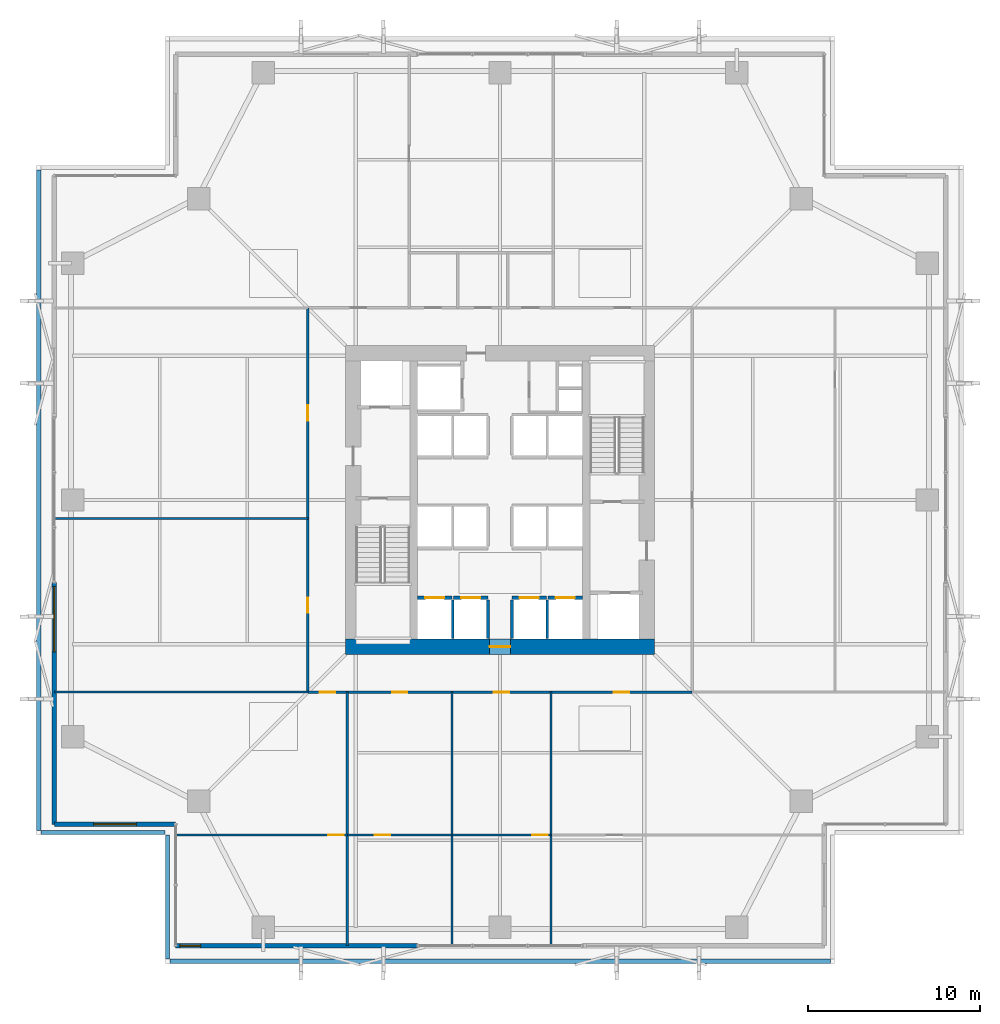
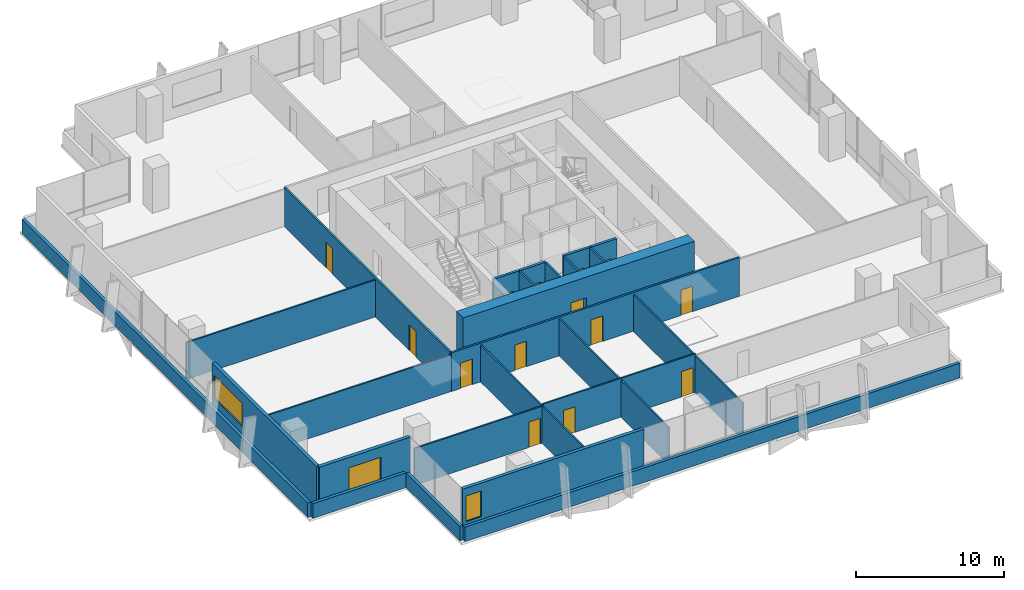
# One storey, part 30 of 34: 26 walls, 14 doors, 3 windows, 17 openings.
"""IFC4 building model written with IfcOpenShell, lengths in metres."""

from ifc_helpers import new_model, si_unit, direction, frame, frame_2d, origin, place, context, subcontext, project, spatial, rectangle, extrude, material, layer, layer_set, type_object, element, fill, save


model = new_model("IFC4")

# Units and contexts
model_context = context("Model", 3, precision=1e-05, world=origin(), true_north=direction((0.0, 1.0)))
body_context = subcontext(model_context, "Body", "Model", "MODEL_VIEW")
ifc_project = project(units=[si_unit("LENGTHUNIT", "METRE"), si_unit("AREAUNIT", "SQUARE_METRE"), si_unit("VOLUMEUNIT", "CUBIC_METRE"), si_unit("PLANEANGLEUNIT", "RADIAN"), si_unit("MASSUNIT", "GRAM", prefix="KILO")], contexts=[model_context])

# Site, building, storey
site_placement = place(None, origin())
site = spatial("IfcSite", under=ifc_project, at=site_placement, CompositionType="ELEMENT")
building_placement = place(site_placement, origin())
building = spatial("IfcBuilding", under=site, at=building_placement, Name="Belovzor Exchange Tower", CompositionType="ELEMENT")
storey_placement = place(building_placement, frame((0.0, 0.0, 113.39990234375)))
storey = spatial("IfcBuildingStorey", under=building, at=storey_placement, Name="L27", CompositionType="ELEMENT", Elevation=113.39990234375)

# Wall, opening, door
ifc_material_1 = material(Name="Acoustic Plasterboard on Galvanised Studs", Category="gypsum")
ifc_layer_1 = layer(ifc_material_1, 0.1201171875)
ifc_layer_set_1 = layer_set([ifc_layer_1], Name="Acoustic Plasterboard on Galvanised Studs")
wall_type_1 = type_object("IfcWallType", Name="Acoustic Double-Stud Partition Wall 120", PredefinedType="PARTITIONING", material=ifc_layer_set_1)
wall_1_placement = place(storey_placement, frame((9.89990234375, 9.280029296875, 0.0), z_axis=(0.0, 0.0, 1.0), x_axis=(1.0, 0.0, 0.0)))
wall_1 = element("IfcWall", 1, at=wall_1_placement, inside=storey, type_object=wall_type_1, Name="W-P120 Partition Wall W-L27-SHDIV-0", PredefinedType="PARTITIONING", context=body_context, shape_type="SweptSolid", body=[
    extrude(rectangle(XDim=10.0, YDim=0.1201171875, at=frame_2d((5.0, 0.0))), origin(), (0.0, 0.0, 1.0), 3.03515625),
])
opening_1_placement = place(wall_1_placement, frame((8.89990234375, 0.0, 0.0)))
opening_1 = element("IfcOpeningElement", 2, at=opening_1_placement, cuts=wall_1, Name="Opening D-INT-090", PredefinedType="OPENING", context=body_context, shape_type="SweptSolid", body=[
    extrude(rectangle(XDim=0.89990234375, YDim=2.10009765625, at=frame_2d((0.449951171875, 1.050048828125))), frame((0.0, 0.070068359375, 0.0), z_axis=(0.0, -1.0, 0.0), x_axis=(1.0, 0.0, 0.0)), (0.0, 0.0, 1.0), 0.14013671875),
])
ifc_material_2 = material(Name="Veneered Hardwood Acoustic Leaf", Category="wood")
door_type_1 = type_object("IfcDoorType", Name="Trading Suite Acoustic Single Door 900x2100", OperationType="NOTDEFINED", PredefinedType="DOOR", material=ifc_material_2)
door_1_placement = place(opening_1_placement, origin())
door_1 = element("IfcDoor", 3, at=door_1_placement, inside=storey, type_object=door_type_1, Name="D-INT-090 Trading Suite Acoustic Single Door 900x2100", OperationType="SINGLE_SWING_LEFT", OverallHeight=2.10009765625, OverallWidth=0.89990234375, PredefinedType="DOOR", context=body_context, shape_type="SweptSolid", body=[
    extrude(rectangle(XDim=0.89990234375, YDim=2.10009765625, at=frame_2d((0.449951171875, 1.050048828125))), frame((0.0, 0.02490234375, 0.0), z_axis=(0.0, -1.0, 0.0), x_axis=(1.0, 0.0, 0.0)), (0.0, 0.0, 1.0), 0.050048828125),
])
fill(opening_1, door_1)

# Wall
wall_2_placement = place(storey_placement, frame((19.89990234375, 2.830078125, 0.0), z_axis=(0.0, 0.0, 1.0), x_axis=(0.0, 1.0, 0.0)))
element("IfcWall", 4, at=wall_2_placement, inside=storey, type_object=wall_type_1, Name="W-P120 Partition Wall W-L27-SDIV-1", PredefinedType="PARTITIONING", context=body_context, shape_type="SweptSolid", body=[
    extrude(rectangle(XDim=14.77001953125, YDim=0.1201171875, at=frame_2d((7.385009765625, 0.0))), origin(), (0.0, 0.0, 1.0), 3.03515625),
])

# Wall, opening, door
wall_3_placement = place(storey_placement, frame((19.89990234375, 9.280029296875, 0.0), z_axis=(0.0, 0.0, 1.0), x_axis=(1.0, 0.0, 0.0)))
wall_3 = element("IfcWall", 5, at=wall_3_placement, inside=storey, type_object=wall_type_1, Name="W-P120 Partition Wall W-L27-SHDIV-1", PredefinedType="PARTITIONING", context=body_context, shape_type="SweptSolid", body=[
    extrude(rectangle(XDim=6.114990234375, YDim=0.1201171875, at=frame_2d((3.0576171875, 0.0))), origin(), (0.0, 0.0, 1.0), 3.18505859375),
])
opening_2_placement = place(wall_3_placement, frame((1.60400390625, 0.0, 0.0)))
opening_2 = element("IfcOpeningElement", 6, at=opening_2_placement, cuts=wall_3, Name="Opening D-INT-090", PredefinedType="OPENING", context=body_context, shape_type="SweptSolid", body=[
    extrude(rectangle(XDim=0.89990234375, YDim=2.10009765625, at=frame_2d((0.449951171875, 1.050048828125))), frame((0.0, 0.070068359375, 0.0), z_axis=(0.0, -1.0, 0.0), x_axis=(1.0, 0.0, 0.0)), (0.0, 0.0, 1.0), 0.14013671875),
])
door_2_placement = place(opening_2_placement, origin())
door_2 = element("IfcDoor", 7, at=door_2_placement, inside=storey, type_object=door_type_1, Name="D-INT-090 Trading Suite Acoustic Single Door 900x2100", OperationType="SINGLE_SWING_LEFT", OverallHeight=2.10009765625, OverallWidth=0.89990234375, PredefinedType="DOOR", context=body_context, shape_type="SweptSolid", body=[
    extrude(rectangle(XDim=0.89990234375, YDim=2.10009765625, at=frame_2d((0.449951171875, 1.050048828125))), frame((0.0, 0.02490234375, 0.0), z_axis=(0.0, -1.0, 0.0), x_axis=(1.0, 0.0, 0.0)), (0.0, 0.0, 1.0), 0.050048828125),
])
fill(opening_2, door_2)

# Wall
wall_4_placement = place(storey_placement, frame((26.014892578125, 2.830078125, 0.0), z_axis=(0.0, 0.0, 1.0), x_axis=(0.0, 1.0, 0.0)))
element("IfcWall", 8, at=wall_4_placement, inside=storey, type_object=wall_type_1, Name="W-P120 Partition Wall W-L27-SDIV-2", PredefinedType="PARTITIONING", context=body_context, shape_type="SweptSolid", body=[
    extrude(rectangle(XDim=14.77001953125, YDim=0.1201171875, at=frame_2d((7.385009765625, 0.0))), origin(), (0.0, 0.0, 1.0), 3.03515625),
])

# Wall, opening, door
wall_5_placement = place(storey_placement, frame((26.014892578125, 9.280029296875, 0.0), z_axis=(0.0, 0.0, 1.0), x_axis=(1.0, 0.0, 0.0)))
wall_5 = element("IfcWall", 9, at=wall_5_placement, inside=storey, type_object=wall_type_1, Name="W-P120 Partition Wall W-L27-SHDIV-2", PredefinedType="PARTITIONING", context=body_context, shape_type="SweptSolid", body=[
    extrude(rectangle(XDim=5.76513671875, YDim=0.1201171875, at=frame_2d((2.882568359375, 0.0))), origin(), (0.0, 0.0, 1.0), 3.18505859375),
])
opening_3_placement = place(wall_5_placement, frame((4.6650390625, 0.0, 0.0)))
opening_3 = element("IfcOpeningElement", 10, at=opening_3_placement, cuts=wall_5, Name="Opening D-INT-090", PredefinedType="OPENING", context=body_context, shape_type="SweptSolid", body=[
    extrude(rectangle(XDim=0.89990234375, YDim=2.10009765625, at=frame_2d((0.449951171875, 1.050048828125))), frame((0.0, 0.070068359375, 0.0), z_axis=(0.0, -1.0, 0.0), x_axis=(1.0, 0.0, 0.0)), (0.0, 0.0, 1.0), 0.14013671875),
])
door_3_placement = place(opening_3_placement, origin())
door_3 = element("IfcDoor", 11, at=door_3_placement, inside=storey, type_object=door_type_1, Name="D-INT-090 Trading Suite Acoustic Single Door 900x2100", OperationType="SINGLE_SWING_LEFT", OverallHeight=2.10009765625, OverallWidth=0.89990234375, PredefinedType="DOOR", context=body_context, shape_type="SweptSolid", body=[
    extrude(rectangle(XDim=0.89990234375, YDim=2.10009765625, at=frame_2d((0.449951171875, 1.050048828125))), frame((0.0, 0.02490234375, 0.0), z_axis=(0.0, -1.0, 0.0), x_axis=(1.0, 0.0, 0.0)), (0.0, 0.0, 1.0), 0.050048828125),
])
fill(opening_3, door_3)

# Walls
for number, where, z_axis, x_axis, name in (
    (12, (31.780029296875, 2.830078125, 0.0), (0.0, 0.0, 1.0), (0.0, 1.0, 0.0), "W-P120 Partition Wall W-L27-SDIV-3"),
    (13, (2.830078125, 17.60009765625, 0.0), (0.0, 0.0, 1.0), (1.0, 0.0, 0.0), "W-P120 Partition Wall W-L27-END-SW"),
    (14, (2.830078125, 27.73193359375, 0.0), (0.0, 0.0, 1.0), (1.0, 0.0, 0.0), "W-P120 Partition Wall W-L27-WDIV-1"),
):
    element("IfcWall", number, at=place(storey_placement, frame(where, z_axis=z_axis, x_axis=x_axis)), inside=storey, type_object=wall_type_1, Name=name, PredefinedType="PARTITIONING", context=body_context, shape_type="SweptSolid", body=[
        extrude(rectangle(XDim=14.77001953125, YDim=0.1201171875, at=frame_2d((7.385009765625, 0.0))), origin(), (0.0, 0.0, 1.0), 3.03515625),
    ])

# Wall, openings, doors
ifc_material_3 = material(Name="Fire-Rated Gypsum Block and Mineral Wool", Category="gypsum")
ifc_layer_2 = layer(ifc_material_3, 0.14990234375)
ifc_layer_set_2 = layer_set([ifc_layer_2], Name="Fire-Rated Gypsum Block and Mineral Wool")
wall_type_2 = type_object("IfcWallType", Name="Fire-Rated Gypsum Block Corridor Wall 150", PredefinedType="PARTITIONING", material=ifc_layer_set_2)
wall_6_placement = place(storey_placement, frame((17.60009765625, 17.60009765625, 0.0), z_axis=(0.0, 0.0, 1.0), x_axis=(1.0, 0.0, 0.0)))
wall_6 = element("IfcWall", 15, at=wall_6_placement, inside=storey, type_object=wall_type_2, Name="W-P150 Partition Wall W-L27-CS", PredefinedType="PARTITIONING", context=body_context, shape_type="SweptSolid", body=[
    extrude(rectangle(XDim=22.39990234375, YDim=0.14990234375, at=frame_2d((11.199951171875, 0.0))), origin(), (0.0, 0.0, 1.0), 3.18505859375),
])
opening_4_placement = place(wall_6_placement, frame((0.699951171875, 0.0, 0.0)))
opening_4 = element("IfcOpeningElement", 16, at=opening_4_placement, cuts=wall_6, Name="Opening D-INT-090", PredefinedType="OPENING", context=body_context, shape_type="SweptSolid", body=[
    extrude(rectangle(XDim=0.89990234375, YDim=2.10009765625, at=frame_2d((0.449951171875, 1.050048828125))), frame((0.0, 0.0849609375, 0.0), z_axis=(0.0, -1.0, 0.0), x_axis=(1.0, 0.0, 0.0)), (0.0, 0.0, 1.0), 0.169921875),
])
opening_5_placement = place(wall_6_placement, frame((4.906982421875, 0.0, 0.0)))
opening_5 = element("IfcOpeningElement", 17, at=opening_5_placement, cuts=wall_6, Name="Opening D-INT-090", PredefinedType="OPENING", context=body_context, shape_type="SweptSolid", body=[
    extrude(rectangle(XDim=0.89990234375, YDim=2.10009765625, at=frame_2d((0.449951171875, 1.050048828125))), frame((0.0, 0.0849609375, 0.0), z_axis=(0.0, -1.0, 0.0), x_axis=(1.0, 0.0, 0.0)), (0.0, 0.0, 1.0), 0.169921875),
])
opening_6_placement = place(wall_6_placement, frame((10.847900390625, 0.0, 0.0)))
opening_6 = element("IfcOpeningElement", 18, at=opening_6_placement, cuts=wall_6, Name="Opening D-INT-090", PredefinedType="OPENING", context=body_context, shape_type="SweptSolid", body=[
    extrude(rectangle(XDim=0.89990234375, YDim=2.10009765625, at=frame_2d((0.449951171875, 1.050048828125))), frame((0.0, 0.0849609375, 0.0), z_axis=(0.0, -1.0, 0.0), x_axis=(1.0, 0.0, 0.0)), (0.0, 0.0, 1.0), 0.169921875),
])
opening_7_placement = place(wall_6_placement, frame((17.840087890625, 0.0, 0.0)))
opening_7 = element("IfcOpeningElement", 19, at=opening_7_placement, cuts=wall_6, Name="Opening D-INT-090", PredefinedType="OPENING", context=body_context, shape_type="SweptSolid", body=[
    extrude(rectangle(XDim=0.89990234375, YDim=2.10009765625, at=frame_2d((0.449951171875, 1.050048828125))), frame((0.0, 0.0849609375, 0.0), z_axis=(0.0, -1.0, 0.0), x_axis=(1.0, 0.0, 0.0)), (0.0, 0.0, 1.0), 0.169921875),
])
door_4_placement = place(opening_4_placement, origin())
door_4 = element("IfcDoor", 20, at=door_4_placement, inside=storey, type_object=door_type_1, Name="D-INT-090 Trading Suite Acoustic Single Door 900x2100", OperationType="SINGLE_SWING_RIGHT", OverallHeight=2.10009765625, OverallWidth=0.89990234375, PredefinedType="DOOR", context=body_context, shape_type="SweptSolid", body=[
    extrude(rectangle(XDim=0.89990234375, YDim=2.10009765625, at=frame_2d((0.449951171875, 1.050048828125))), frame((0.0, 0.02490234375, 0.0), z_axis=(0.0, -1.0, 0.0), x_axis=(1.0, 0.0, 0.0)), (0.0, 0.0, 1.0), 0.050048828125),
])
fill(opening_4, door_4)
door_5_placement = place(opening_5_placement, origin())
door_5 = element("IfcDoor", 21, at=door_5_placement, inside=storey, type_object=door_type_1, Name="D-INT-090 Trading Suite Acoustic Single Door 900x2100", OperationType="SINGLE_SWING_LEFT", OverallHeight=2.10009765625, OverallWidth=0.89990234375, PredefinedType="DOOR", context=body_context, shape_type="SweptSolid", body=[
    extrude(rectangle(XDim=0.89990234375, YDim=2.10009765625, at=frame_2d((0.449951171875, 1.050048828125))), frame((0.0, 0.02490234375, 0.0), z_axis=(0.0, -1.0, 0.0), x_axis=(1.0, 0.0, 0.0)), (0.0, 0.0, 1.0), 0.050048828125),
])
fill(opening_5, door_5)
door_6_placement = place(opening_6_placement, origin())
door_6 = element("IfcDoor", 22, at=door_6_placement, inside=storey, type_object=door_type_1, Name="D-INT-090 Trading Suite Acoustic Single Door 900x2100", OperationType="SINGLE_SWING_RIGHT", OverallHeight=2.10009765625, OverallWidth=0.89990234375, PredefinedType="DOOR", context=body_context, shape_type="SweptSolid", body=[
    extrude(rectangle(XDim=0.89990234375, YDim=2.10009765625, at=frame_2d((0.449951171875, 1.050048828125))), frame((0.0, 0.02490234375, 0.0), z_axis=(0.0, -1.0, 0.0), x_axis=(1.0, 0.0, 0.0)), (0.0, 0.0, 1.0), 0.050048828125),
])
fill(opening_6, door_6)
door_7_placement = place(opening_7_placement, origin())
door_7 = element("IfcDoor", 23, at=door_7_placement, inside=storey, type_object=door_type_1, Name="D-INT-090 Trading Suite Acoustic Single Door 900x2100", OperationType="SINGLE_SWING_LEFT", OverallHeight=2.10009765625, OverallWidth=0.89990234375, PredefinedType="DOOR", context=body_context, shape_type="SweptSolid", body=[
    extrude(rectangle(XDim=0.89990234375, YDim=2.10009765625, at=frame_2d((0.449951171875, 1.050048828125))), frame((0.0, 0.02490234375, 0.0), z_axis=(0.0, -1.0, 0.0), x_axis=(1.0, 0.0, 0.0)), (0.0, 0.0, 1.0), 0.050048828125),
])
fill(opening_7, door_7)

wall_7_placement = place(storey_placement, frame((17.60009765625, 17.60009765625, 0.0), z_axis=(0.0, 0.0, 1.0), x_axis=(0.0, 1.0, 0.0)))
wall_7 = element("IfcWall", 24, at=wall_7_placement, inside=storey, type_object=wall_type_2, Name="W-P150 Partition Wall W-L27-CW", PredefinedType="PARTITIONING", context=body_context, shape_type="SweptSolid", body=[
    extrude(rectangle(XDim=22.39990234375, YDim=0.14990234375, at=frame_2d((11.199951171875, 0.0))), origin(), (0.0, 0.0, 1.0), 3.18505859375),
])
opening_8_placement = place(wall_7_placement, frame((4.615966796875, 0.0, 0.0)))
opening_8 = element("IfcOpeningElement", 25, at=opening_8_placement, cuts=wall_7, Name="Opening D-INT-090", PredefinedType="OPENING", context=body_context, shape_type="SweptSolid", body=[
    extrude(rectangle(XDim=0.89990234375, YDim=2.10009765625, at=frame_2d((0.449951171875, 1.050048828125))), frame((0.0, 0.0849609375, 0.0), z_axis=(0.0, -1.0, 0.0), x_axis=(1.0, 0.0, 0.0)), (0.0, 0.0, 1.0), 0.169921875),
])
opening_9_placement = place(wall_7_placement, frame((15.81591796875, 0.0, 0.0)))
opening_9 = element("IfcOpeningElement", 26, at=opening_9_placement, cuts=wall_7, Name="Opening D-INT-090", PredefinedType="OPENING", context=body_context, shape_type="SweptSolid", body=[
    extrude(rectangle(XDim=0.89990234375, YDim=2.10009765625, at=frame_2d((0.449951171875, 1.050048828125))), frame((0.0, 0.0849609375, 0.0), z_axis=(0.0, -1.0, 0.0), x_axis=(1.0, 0.0, 0.0)), (0.0, 0.0, 1.0), 0.169921875),
])
door_8_placement = place(opening_8_placement, origin())
door_8 = element("IfcDoor", 27, at=door_8_placement, inside=storey, type_object=door_type_1, Name="D-INT-090 Trading Suite Acoustic Single Door 900x2100", OperationType="SINGLE_SWING_RIGHT", OverallHeight=2.10009765625, OverallWidth=0.89990234375, PredefinedType="DOOR", context=body_context, shape_type="SweptSolid", body=[
    extrude(rectangle(XDim=0.89990234375, YDim=2.10009765625, at=frame_2d((0.449951171875, 1.050048828125))), frame((0.0, 0.02490234375, 0.0), z_axis=(0.0, -1.0, 0.0), x_axis=(1.0, 0.0, 0.0)), (0.0, 0.0, 1.0), 0.050048828125),
])
fill(opening_8, door_8)
door_9_placement = place(opening_9_placement, origin())
door_9 = element("IfcDoor", 28, at=door_9_placement, inside=storey, type_object=door_type_1, Name="D-INT-090 Trading Suite Acoustic Single Door 900x2100", OperationType="SINGLE_SWING_LEFT", OverallHeight=2.10009765625, OverallWidth=0.89990234375, PredefinedType="DOOR", context=body_context, shape_type="SweptSolid", body=[
    extrude(rectangle(XDim=0.89990234375, YDim=2.10009765625, at=frame_2d((0.449951171875, 1.050048828125))), frame((0.0, 0.02490234375, 0.0), z_axis=(0.0, -1.0, 0.0), x_axis=(1.0, 0.0, 0.0)), (0.0, 0.0, 1.0), 0.050048828125),
])
fill(opening_9, door_9)

# Wall, opening, window
ifc_material_4 = material(Name="Precast concrete C40/50", Category="concrete")
ifc_layer_3 = layer(ifc_material_4, 0.280029296875)
ifc_layer_set_3 = layer_set([ifc_layer_3], Name="Precast concrete C40/50")
wall_type_3 = type_object("IfcWallType", Name="Precast Concrete Notched Corner Frame Wall 280", PredefinedType="SOLIDWALL", material=ifc_layer_set_3)
wall_8_placement = place(storey_placement, frame((9.89990234375, 9.89990234375, 0.0), z_axis=(0.0, 0.0, 1.0), x_axis=(-1.0, 0.0, 0.0)))
wall_8 = element("IfcWall", 29, at=wall_8_placement, inside=storey, type_object=wall_type_3, Name="W-CRN280 Precast Concrete Notched Corner Frame Wall 280 L27", PredefinedType="SOLIDWALL", context=body_context, shape_type="SweptSolid", body=[
    extrude(rectangle(XDim=7.06982421875, YDim=0.280029296875, at=frame_2d((3.534912109375, 0.0))), origin(), (0.0, 0.0, 1.0), 3.650146484375),
])
opening_10_placement = place(wall_8_placement, frame((2.284912109375, 0.0, 0.89990234375)))
opening_10 = element("IfcOpeningElement", 30, at=opening_10_placement, cuts=wall_8, Name="Opening WN-CRN250", PredefinedType="OPENING", context=body_context, shape_type="SweptSolid", body=[
    extrude(rectangle(XDim=2.5, YDim=1.89990234375, at=frame_2d((1.25, 0.949951171875))), frame((0.0, 0.14990234375, 0.0), z_axis=(0.0, -1.0, 0.0), x_axis=(1.0, 0.0, 0.0)), (0.0, 0.0, 1.0), 0.300048828125),
])
ifc_material_5 = material(Name="Thermally Broken Aluminium and Triple Glazing", Category="aluminium")
window_type_1 = type_object("IfcWindowType", Name="Streamline Moderne Corner Wrap Ribbon Window 2500x1900", PartitioningType="SINGLE_PANEL", PredefinedType="WINDOW", material=ifc_material_5)
window_1_placement = place(opening_10_placement, origin())
window_1 = element("IfcWindow", 31, at=window_1_placement, inside=storey, type_object=window_type_1, Name="WN-CRN250 Streamline Moderne Corner Wrap Ribbon Window 2500x1900", OverallHeight=1.89990234375, OverallWidth=2.5, PartitioningType="SINGLE_PANEL", PredefinedType="WINDOW", context=body_context, shape_type="SweptSolid", body=[
    extrude(rectangle(XDim=2.5, YDim=1.89990234375, at=frame_2d((1.25, 0.949951171875))), frame((0.0, 0.030029296875, 0.0), z_axis=(0.0, -1.0, 0.0), x_axis=(1.0, 0.0, 0.0)), (0.0, 0.0, 1.0), 0.06005859375),
])
fill(opening_10, window_1)

ifc_material_6 = material(Name="Precast concrete C40/50", Category="concrete")
ifc_layer_4 = layer(ifc_material_6, 0.260009765625)
ifc_layer_set_4 = layer_set([ifc_layer_4], Name="Precast concrete C40/50")
wall_type_4 = type_object("IfcWallType", Name="Precast Concrete Perimeter Loggia Frame Wall 260", PredefinedType="SOLIDWALL", material=ifc_layer_set_4)
wall_9_placement = place(storey_placement, frame((24.0, 2.830078125, 0.0), z_axis=(0.0, 0.0, 1.0), x_axis=(-1.0, 0.0, 0.0)))
wall_9 = element("IfcWall", 32, at=wall_9_placement, inside=storey, type_object=wall_type_4, Name="W-EXT260 Precast Concrete Perimeter Loggia Frame Wall 260 L27", PredefinedType="SOLIDWALL", context=body_context, shape_type="SweptSolid", body=[
    extrude(rectangle(XDim=14.10009765625, YDim=0.260009765625, at=frame_2d((7.050048828125, 0.0))), origin(), (0.0, 0.0, 1.0), 3.650146484375),
])
opening_11_placement = place(wall_9_placement, frame((12.64990234375, 0.0, 0.89990234375)))
opening_11 = element("IfcOpeningElement", 33, at=opening_11_placement, cuts=wall_9, Name="Opening WN-CRN120", PredefinedType="OPENING", context=body_context, shape_type="SweptSolid", body=[
    extrude(rectangle(XDim=1.199951171875, YDim=2.10009765625, at=frame_2d((0.60009765625, 1.050048828125))), frame((0.0, 0.139892578125, 0.0), z_axis=(0.0, -1.0, 0.0), x_axis=(1.0, 0.0, 0.0)), (0.0, 0.0, 1.0), 0.280029296875),
])
ifc_material_7 = material(Name="Thermally Broken Aluminium and Triple Glazing", Category="aluminium")
window_type_2 = type_object("IfcWindowType", Name="Streamline Notched Corner Window 1200x2100", PartitioningType="SINGLE_PANEL", PredefinedType="WINDOW", material=ifc_material_7)
window_2_placement = place(opening_11_placement, origin())
window_2 = element("IfcWindow", 34, at=window_2_placement, inside=storey, type_object=window_type_2, Name="WN-CRN120 Streamline Notched Corner Window 1200x2100", OverallHeight=2.10009765625, OverallWidth=1.199951171875, PartitioningType="SINGLE_PANEL", PredefinedType="WINDOW", context=body_context, shape_type="SweptSolid", body=[
    extrude(rectangle(XDim=1.199951171875, YDim=2.10009765625, at=frame_2d((0.60009765625, 1.050048828125))), frame((0.0, 0.030029296875, 0.0), z_axis=(0.0, -1.0, 0.0), x_axis=(1.0, 0.0, 0.0)), (0.0, 0.0, 1.0), 0.06005859375),
])
fill(opening_11, window_2)

wall_10_placement = place(storey_placement, frame((2.830078125, 9.89990234375, 0.0), z_axis=(0.0, 0.0, 1.0), x_axis=(0.0, 1.0, 0.0)))
wall_10 = element("IfcWall", 35, at=wall_10_placement, inside=storey, type_object=wall_type_4, Name="W-EXT260 Precast Concrete Perimeter Loggia Frame Wall 260 L27", PredefinedType="SOLIDWALL", context=body_context, shape_type="SweptSolid", body=[
    extrude(rectangle(XDim=14.10009765625, YDim=0.260009765625, at=frame_2d((7.050048828125, 0.0))), origin(), (0.0, 0.0, 1.0), 3.650146484375),
])
opening_12_placement = place(wall_10_placement, frame((10.050048828125, 0.0, 0.89990234375)))
opening_12 = element("IfcOpeningElement", 36, at=opening_12_placement, cuts=wall_10, Name="Opening WN-RIB380", PredefinedType="OPENING", context=body_context, shape_type="SweptSolid", body=[
    extrude(rectangle(XDim=3.800048828125, YDim=1.89990234375, at=frame_2d((1.89990234375, 0.949951171875))), frame((0.0, 0.139892578125, 0.0), z_axis=(0.0, -1.0, 0.0), x_axis=(1.0, 0.0, 0.0)), (0.0, 0.0, 1.0), 0.280029296875),
])
ifc_material_8 = material(Name="Thermally Broken Aluminium and Triple Glazing", Category="aluminium")
window_type_3 = type_object("IfcWindowType", Name="Streamline Moderne Horizontal Ribbon Window 3800x1900", PartitioningType="SINGLE_PANEL", PredefinedType="WINDOW", material=ifc_material_8)
window_3_placement = place(opening_12_placement, origin())
window_3 = element("IfcWindow", 37, at=window_3_placement, inside=storey, type_object=window_type_3, Name="WN-RIB380 Streamline Moderne Horizontal Ribbon Window 3800x1900", OverallHeight=1.89990234375, OverallWidth=3.800048828125, PartitioningType="SINGLE_PANEL", PredefinedType="WINDOW", context=body_context, shape_type="SweptSolid", body=[
    extrude(rectangle(XDim=3.800048828125, YDim=1.89990234375, at=frame_2d((1.89990234375, 0.949951171875))), frame((0.0, 0.030029296875, 0.0), z_axis=(0.0, -1.0, 0.0), x_axis=(1.0, 0.0, 0.0)), (0.0, 0.0, 1.0), 0.06005859375),
])
fill(opening_12, window_3)

# Walls
ifc_material_9 = material(Name="Precast concrete C40/50", Category="concrete")
ifc_layer_5 = layer(ifc_material_9, 0.239990234375)
ifc_layer_set_5 = layer_set([ifc_layer_5], Name="Precast concrete C40/50")
wall_type_5 = type_object("IfcWallType", Name="Precast Stone Setback Roof Parapet Wall 240", PredefinedType="PARAPET", material=ifc_layer_set_5)
for number, where, z_axis, x_axis, name in (
    (38, (9.554931640625, 1.919921875, 0.0), (0.0, 0.0, 1.0), (1.0, 0.0, 0.0), "W-PAR240 Precast Stone Setback Roof Parapet Wall 240 L27"),
    (39, (1.919921875, 48.044921875, 0.0), (0.0, 0.0, 1.0), (0.0, -1.0, 0.0), "W-PAR240 Precast Stone Setback Roof Parapet Wall 240 L27"),
):
    element("IfcWall", number, at=place(storey_placement, frame(where, z_axis=z_axis, x_axis=x_axis)), inside=storey, type_object=wall_type_5, Name=name, PredefinedType="PARAPET", context=body_context, shape_type="SweptSolid", body=[
        extrude(rectangle(XDim=38.489990234375, YDim=0.239990234375, at=frame_2d((19.2451171875, 0.0))), origin(), (0.0, 0.0, 1.0), 1.2001953125),
    ])
for number, where, z_axis, x_axis, name in (
    (40, (2.054931640625, 9.419921875, 0.0), (0.0, 0.0, 1.0), (1.0, 0.0, 0.0), "W-PAR240 Precast Stone Setback Roof Parapet Wall 240 L27"),
    (41, (9.419921875, 9.284912109375, 0.0), (0.0, 0.0, 1.0), (0.0, -1.0, 0.0), "W-PAR240 Precast Stone Setback Roof Parapet Wall 240 L27"),
):
    element("IfcWall", number, at=place(storey_placement, frame(where, z_axis=z_axis, x_axis=x_axis)), inside=storey, type_object=wall_type_5, Name=name, PredefinedType="PARAPET", context=body_context, shape_type="SweptSolid", body=[
        extrude(rectangle(XDim=7.22998046875, YDim=0.239990234375, at=frame_2d((3.614990234375, 0.0))), origin(), (0.0, 0.0, 1.0), 1.2001953125),
    ])
ifc_material_10 = material(Name="Concrete C50/60", Category="concrete")
ifc_layer_6 = layer(ifc_material_10, 0.14990234375)
ifc_layer_set_6 = layer_set([ifc_layer_6], Name="Concrete C50/60")
wall_type_6 = type_object("IfcWallType", Name="Reinforced Concrete Core Riser Shear Wall 150", PredefinedType="SHEAR", material=ifc_layer_set_6)
for number, where, z_axis, x_axis, name in (
    (42, (26.050048828125, 20.719970703125, 0.0), (0.0, 0.0, 1.0), (0.0, 1.0, 0.0), "W-C150S Core Shaft Wall W-SHD-L27-PLL-1"),
    (43, (28.10009765625, 20.719970703125, 0.0), (0.0, 0.0, 1.0), (0.0, 1.0, 0.0), "W-C150S Core Shaft Wall W-SHD-L27-PLL-2"),
    (44, (29.5, 20.719970703125, 0.0), (0.0, 0.0, 1.0), (0.0, 1.0, 0.0), "W-C150S Core Shaft Wall W-SHD-L27-PLL-3"),
    (45, (31.550048828125, 20.719970703125, 0.0), (0.0, 0.0, 1.0), (0.0, 1.0, 0.0), "W-C150S Core Shaft Wall W-SHD-L27-PLL-4"),
):
    element("IfcWall", number, at=place(storey_placement, frame(where, z_axis=z_axis, x_axis=x_axis)), inside=storey, type_object=wall_type_6, Name=name, PredefinedType="SHEAR", context=body_context, shape_type="SweptSolid", body=[
        extrude(rectangle(XDim=2.260009765625, YDim=0.14990234375, at=frame_2d((1.1298828125, 0.0))), origin(), (0.0, 0.0, 1.0), 3.650146484375),
    ])

# Wall, opening, door
ifc_material_11 = material(Name="Concrete C50/60", Category="concrete")
ifc_layer_7 = layer(ifc_material_11, 0.199951171875)
ifc_layer_set_7 = layer_set([ifc_layer_7], Name="Concrete C50/60")
wall_type_7 = type_object("IfcWallType", Name="Reinforced Concrete Core Shaft Shear Wall 200", PredefinedType="SHEAR", material=ifc_layer_set_7)
wall_11_placement = place(storey_placement, frame((24.0, 23.10009765625, 0.0), z_axis=(0.0, 0.0, 1.0), x_axis=(1.0, 0.0, 0.0)))
wall_11 = element("IfcWall", 46, at=wall_11_placement, inside=storey, type_object=wall_type_7, Name="W-C200S Core Shaft Wall W-SH-L27-PL-L1", PredefinedType="SHEAR", context=body_context, shape_type="SweptSolid", body=[
    extrude(rectangle(XDim=2.0, YDim=0.199951171875, at=frame_2d((1.0, 0.0))), origin(), (0.0, 0.0, 1.0), 3.650146484375),
])
opening_13_placement = place(wall_11_placement, frame((0.449951171875, 0.0, 0.0)))
opening_13 = element("IfcOpeningElement", 47, at=opening_13_placement, cuts=wall_11, Name="Opening LD-110", PredefinedType="OPENING", context=body_context, shape_type="SweptSolid", body=[
    extrude(rectangle(XDim=1.10009765625, YDim=2.14990234375, at=frame_2d((0.550048828125, 1.074951171875))), frame((0.0, 0.10986328125, 0.0), z_axis=(0.0, -1.0, 0.0), x_axis=(1.0, 0.0, 0.0)), (0.0, 0.0, 1.0), 0.219970703125),
])
ifc_material_12 = material(Name="Stainless Steel Grade 304", Category="steel")
door_type_2 = type_object("IfcDoorType", Name="Automated Stainless Steel Lift Landing Door 1100x2150", OperationType="SLIDING_TO_RIGHT", PredefinedType="DOOR", material=ifc_material_12)
door_10_placement = place(opening_13_placement, origin())
door_10 = element("IfcDoor", 48, at=door_10_placement, inside=storey, type_object=door_type_2, Name="LD-110 Automated Stainless Steel Lift Landing Door 1100x2150", OperationType="SLIDING_TO_RIGHT", OverallHeight=2.14990234375, OverallWidth=1.10009765625, PredefinedType="DOOR", context=body_context, shape_type="SweptSolid", body=[
    extrude(rectangle(XDim=1.10009765625, YDim=2.14990234375, at=frame_2d((0.550048828125, 1.074951171875))), frame((0.0, 0.02490234375, 0.0), z_axis=(0.0, -1.0, 0.0), x_axis=(1.0, 0.0, 0.0)), (0.0, 0.0, 1.0), 0.050048828125),
])
fill(opening_13, door_10)

wall_12_placement = place(storey_placement, frame((26.10009765625, 23.10009765625, 0.0), z_axis=(0.0, 0.0, 1.0), x_axis=(1.0, 0.0, 0.0)))
wall_12 = element("IfcWall", 49, at=wall_12_placement, inside=storey, type_object=wall_type_7, Name="W-C200S Core Shaft Wall W-SH-L27-PL-L2", PredefinedType="SHEAR", context=body_context, shape_type="SweptSolid", body=[
    extrude(rectangle(XDim=2.0, YDim=0.199951171875, at=frame_2d((1.0, 0.0))), origin(), (0.0, 0.0, 1.0), 3.650146484375),
])
opening_14_placement = place(wall_12_placement, frame((0.449951171875, 0.0, 0.0)))
opening_14 = element("IfcOpeningElement", 50, at=opening_14_placement, cuts=wall_12, Name="Opening LD-110", PredefinedType="OPENING", context=body_context, shape_type="SweptSolid", body=[
    extrude(rectangle(XDim=1.10009765625, YDim=2.14990234375, at=frame_2d((0.550048828125, 1.074951171875))), frame((0.0, 0.10986328125, 0.0), z_axis=(0.0, -1.0, 0.0), x_axis=(1.0, 0.0, 0.0)), (0.0, 0.0, 1.0), 0.219970703125),
])
door_11_placement = place(opening_14_placement, origin())
door_11 = element("IfcDoor", 51, at=door_11_placement, inside=storey, type_object=door_type_2, Name="LD-110 Automated Stainless Steel Lift Landing Door 1100x2150", OperationType="SLIDING_TO_RIGHT", OverallHeight=2.14990234375, OverallWidth=1.10009765625, PredefinedType="DOOR", context=body_context, shape_type="SweptSolid", body=[
    extrude(rectangle(XDim=1.10009765625, YDim=2.14990234375, at=frame_2d((0.550048828125, 1.074951171875))), frame((0.0, 0.02490234375, 0.0), z_axis=(0.0, -1.0, 0.0), x_axis=(1.0, 0.0, 0.0)), (0.0, 0.0, 1.0), 0.050048828125),
])
fill(opening_14, door_11)

wall_13_placement = place(storey_placement, frame((29.5, 23.10009765625, 0.0), z_axis=(0.0, 0.0, 1.0), x_axis=(1.0, 0.0, 0.0)))
wall_13 = element("IfcWall", 52, at=wall_13_placement, inside=storey, type_object=wall_type_7, Name="W-C200S Core Shaft Wall W-SH-L27-PL-L3", PredefinedType="SHEAR", context=body_context, shape_type="SweptSolid", body=[
    extrude(rectangle(XDim=2.0, YDim=0.199951171875, at=frame_2d((1.0, 0.0))), origin(), (0.0, 0.0, 1.0), 3.650146484375),
])
opening_15_placement = place(wall_13_placement, frame((0.449951171875, 0.0, 0.0)))
opening_15 = element("IfcOpeningElement", 53, at=opening_15_placement, cuts=wall_13, Name="Opening LD-110", PredefinedType="OPENING", context=body_context, shape_type="SweptSolid", body=[
    extrude(rectangle(XDim=1.10009765625, YDim=2.14990234375, at=frame_2d((0.550048828125, 1.074951171875))), frame((0.0, 0.10986328125, 0.0), z_axis=(0.0, -1.0, 0.0), x_axis=(1.0, 0.0, 0.0)), (0.0, 0.0, 1.0), 0.219970703125),
])
door_12_placement = place(opening_15_placement, origin())
door_12 = element("IfcDoor", 54, at=door_12_placement, inside=storey, type_object=door_type_2, Name="LD-110 Automated Stainless Steel Lift Landing Door 1100x2150", OperationType="SLIDING_TO_RIGHT", OverallHeight=2.14990234375, OverallWidth=1.10009765625, PredefinedType="DOOR", context=body_context, shape_type="SweptSolid", body=[
    extrude(rectangle(XDim=1.10009765625, YDim=2.14990234375, at=frame_2d((0.550048828125, 1.074951171875))), frame((0.0, 0.02490234375, 0.0), z_axis=(0.0, -1.0, 0.0), x_axis=(1.0, 0.0, 0.0)), (0.0, 0.0, 1.0), 0.050048828125),
])
fill(opening_15, door_12)

wall_14_placement = place(storey_placement, frame((31.60009765625, 23.10009765625, 0.0), z_axis=(0.0, 0.0, 1.0), x_axis=(1.0, 0.0, 0.0)))
wall_14 = element("IfcWall", 55, at=wall_14_placement, inside=storey, type_object=wall_type_7, Name="W-C200S Core Shaft Wall W-SH-L27-PL-L4", PredefinedType="SHEAR", context=body_context, shape_type="SweptSolid", body=[
    extrude(rectangle(XDim=2.0, YDim=0.199951171875, at=frame_2d((1.0, 0.0))), origin(), (0.0, 0.0, 1.0), 3.650146484375),
])
opening_16_placement = place(wall_14_placement, frame((0.449951171875, 0.0, 0.0)))
opening_16 = element("IfcOpeningElement", 56, at=opening_16_placement, cuts=wall_14, Name="Opening LD-110", PredefinedType="OPENING", context=body_context, shape_type="SweptSolid", body=[
    extrude(rectangle(XDim=1.10009765625, YDim=2.14990234375, at=frame_2d((0.550048828125, 1.074951171875))), frame((0.0, 0.10986328125, 0.0), z_axis=(0.0, -1.0, 0.0), x_axis=(1.0, 0.0, 0.0)), (0.0, 0.0, 1.0), 0.219970703125),
])
door_13_placement = place(opening_16_placement, origin())
door_13 = element("IfcDoor", 57, at=door_13_placement, inside=storey, type_object=door_type_2, Name="LD-110 Automated Stainless Steel Lift Landing Door 1100x2150", OperationType="SLIDING_TO_RIGHT", OverallHeight=2.14990234375, OverallWidth=1.10009765625, PredefinedType="DOOR", context=body_context, shape_type="SweptSolid", body=[
    extrude(rectangle(XDim=1.10009765625, YDim=2.14990234375, at=frame_2d((0.550048828125, 1.074951171875))), frame((0.0, 0.02490234375, 0.0), z_axis=(0.0, -1.0, 0.0), x_axis=(1.0, 0.0, 0.0)), (0.0, 0.0, 1.0), 0.050048828125),
])
fill(opening_16, door_13)

ifc_material_13 = material(Name="Concrete C60/75", Category="concrete")
ifc_layer_8 = layer(ifc_material_13, 0.89990234375)
ifc_layer_set_8 = layer_set([ifc_layer_8], Name="Concrete C60/75")
wall_type_8 = type_object("IfcWallType", Name="Reinforced Concrete Core Shear Wall 900", PredefinedType="SHEAR", material=ifc_layer_set_8)
wall_15_placement = place(storey_placement, frame((19.800048828125, 20.25, 0.0), z_axis=(0.0, 0.0, 1.0), x_axis=(1.0, 0.0, 0.0)))
wall_15 = element("IfcWall", 58, at=wall_15_placement, inside=storey, type_object=wall_type_8, Name="CW-S090 Core Shear Wall L27 S", PredefinedType="SHEAR", context=body_context, shape_type="SweptSolid", body=[
    extrude(rectangle(XDim=18.0, YDim=0.89990234375, at=frame_2d((9.0, 0.0))), origin(), (0.0, 0.0, 1.0), 3.900146484375),
])
opening_17_placement = place(wall_15_placement, frame((8.39990234375, 0.0, 0.0)))
opening_17 = element("IfcOpeningElement", 59, at=opening_17_placement, cuts=wall_15, Name="Opening D-FD90-120", PredefinedType="OPENING", context=body_context, shape_type="SweptSolid", body=[
    extrude(rectangle(XDim=1.199951171875, YDim=2.199951171875, at=frame_2d((0.60009765625, 1.10009765625))), frame((0.0, 0.4599609375, 0.0), z_axis=(0.0, -1.0, 0.0), x_axis=(1.0, 0.0, 0.0)), (0.0, 0.0, 1.0), 0.919921875),
])
ifc_material_14 = material(Name="Fire-Rated Galvanised Steel Leaf", Category="steel")
door_type_3 = type_object("IfcDoorType", Name="Heavy Plant & Foyer Fire Door 1200x2200", OperationType="NOTDEFINED", PredefinedType="DOOR", material=ifc_material_14)
door_14_placement = place(opening_17_placement, origin())
door_14 = element("IfcDoor", 60, at=door_14_placement, inside=storey, type_object=door_type_3, Name="D-FD90-120 Heavy Plant & Foyer Fire Door 1200x2200", OperationType="SINGLE_SWING_LEFT", OverallHeight=2.199951171875, OverallWidth=1.199951171875, PredefinedType="DOOR", context=body_context, shape_type="SweptSolid", body=[
    extrude(rectangle(XDim=1.199951171875, YDim=2.199951171875, at=frame_2d((0.60009765625, 1.10009765625))), frame((0.0, 0.02490234375, 0.0), z_axis=(0.0, -1.0, 0.0), x_axis=(1.0, 0.0, 0.0)), (0.0, 0.0, 1.0), 0.050048828125),
])
fill(opening_17, door_14)

save(model, "model.ifc")
